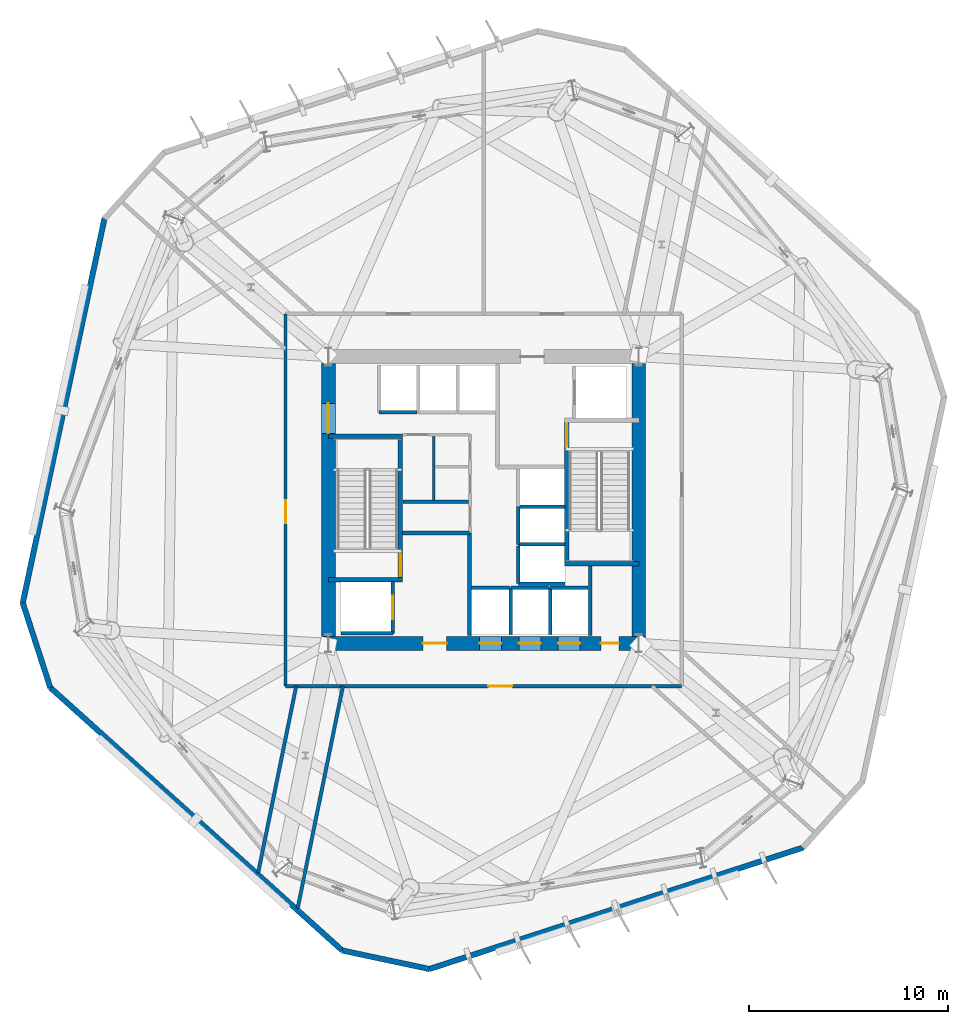
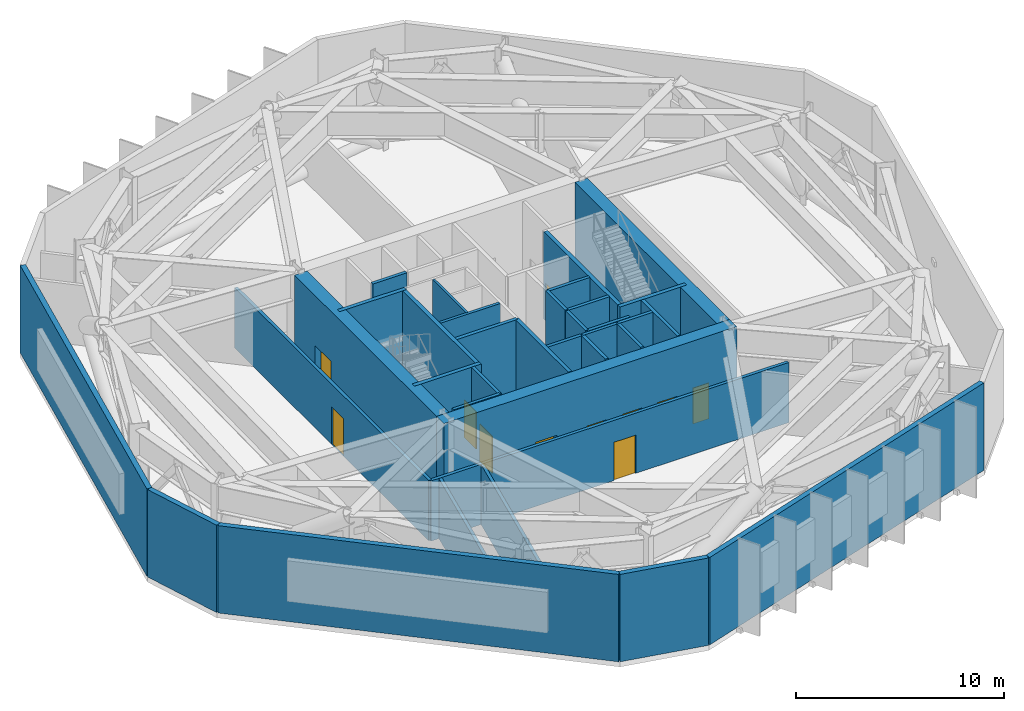
# One storey, part 7 of 12: 35 walls, 11 doors, 11 openings.
"""IFC4 building model written with IfcOpenShell, lengths in metres."""

from ifc_helpers import new_model, si_unit, direction, frame, frame_2d, origin, place, context, subcontext, project, spatial, rectangle, extrude, material, layer, layer_set, type_object, element, fill, save


model = new_model("IFC4")

# Units and contexts
model_context = context("Model", 3, precision=1e-05, world=origin(), true_north=direction((0.0, 1.0)))
body_context = subcontext(model_context, "Body", "Model", "MODEL_VIEW")
ifc_project = project(units=[si_unit("LENGTHUNIT", "METRE"), si_unit("AREAUNIT", "SQUARE_METRE"), si_unit("VOLUMEUNIT", "CUBIC_METRE"), si_unit("PLANEANGLEUNIT", "RADIAN"), si_unit("MASSUNIT", "GRAM", prefix="KILO")], contexts=[model_context])

# Site, building, storey
site_placement = place(None, origin())
site = spatial("IfcSite", under=ifc_project, at=site_placement, CompositionType="ELEMENT")
building_placement = place(site_placement, origin())
building = spatial("IfcBuilding", under=site, at=building_placement, Name="Kranzbogen Civic Tower", CompositionType="ELEMENT")
storey_placement = place(building_placement, frame((0.0, 0.0, 92.0)))
storey = spatial("IfcBuildingStorey", under=building, at=storey_placement, Name="L22", CompositionType="ELEMENT", Elevation=92.0)

# Wall
ifc_material_1 = material(Name="Insulated Metal-Stud Gypsum Partition")
ifc_layer_1 = layer(ifc_material_1, 0.125, Name="Insulated Metal-Stud Gypsum Partition")
ifc_layer_set_1 = layer_set([ifc_layer_1], Name="Insulated Metal-Stud Gypsum Partition")
wall_type_1 = type_object("IfcWallType", Name="Acoustic Inter-Room Partition 125 mm", PredefinedType="PARTITIONING", material=ifc_layer_set_1)
wall_1_placement = place(storey_placement, frame((22.489990234375, 24.969970703125, 0.0), z_axis=(0.0, 0.0, 1.0), x_axis=(0.0, 1.0, 0.0)))
element("IfcWall", 1, at=wall_1_placement, inside=storey, type_object=wall_type_1, Name="L22 core auxiliary partition 2", PredefinedType="PARTITIONING", context=body_context, shape_type="SweptSolid", body=[
    extrude(rectangle(XDim=3.22998046875, YDim=0.125, at=frame_2d((1.614990234375, 0.0))), origin(), (0.0, 0.0, 1.0), 5.139892578125),
])

# Wall, openings, doors
ifc_material_2 = material(Name="Concrete C55/67", Category="concrete")
ifc_layer_2 = layer(ifc_material_2, 0.699951171875, Name="Concrete C55/67")
ifc_layer_set_2 = layer_set([ifc_layer_2], Name="Concrete C55/67")
wall_type_2 = type_object("IfcWallType", Name="Central Core Shear Wall 700 mm", PredefinedType="SHEAR", material=ifc_layer_set_2)
wall_2_placement = place(storey_placement, frame((16.85009765625, 17.800048828125, 0.0), z_axis=(0.0, 0.0, 1.0), x_axis=(1.0, 0.0, 0.0)))
wall_2 = element("IfcWall", 2, at=wall_2_placement, inside=storey, type_object=wall_type_2, Name="L22 central core South shear wall", PredefinedType="SHEAR", context=body_context, shape_type="SweptSolid", body=[
    extrude(rectangle(XDim=16.2998046875, YDim=0.699951171875, at=frame_2d((8.14990234375, 0.0))), origin(), (0.0, 0.0, 1.0), 5.139892578125),
])
opening_1_placement = place(wall_2_placement, frame((5.10009765625, 0.0, 0.0)))
opening_1 = element("IfcOpeningElement", 3, at=opening_1_placement, cuts=wall_2, Name="Opening D-EX120", PredefinedType="OPENING", context=body_context, shape_type="SweptSolid", body=[
    extrude(rectangle(XDim=1.199951171875, YDim=2.25, at=frame_2d((0.60009765625, 1.125))), frame((0.0, 0.35986328125, 0.0), z_axis=(0.0, -1.0, 0.0), x_axis=(1.0, 0.0, 0.0)), (0.0, 0.0, 1.0), 0.719970703125),
])
opening_2_placement = place(wall_2_placement, frame((14.050048828125, 0.0, 0.0)))
opening_2 = element("IfcOpeningElement", 4, at=opening_2_placement, cuts=wall_2, Name="Opening D-WC90", PredefinedType="OPENING", context=body_context, shape_type="SweptSolid", body=[
    extrude(rectangle(XDim=0.89990234375, YDim=2.10009765625, at=frame_2d((0.449951171875, 1.050048828125))), frame((0.0, 0.35986328125, 0.0), z_axis=(0.0, -1.0, 0.0), x_axis=(1.0, 0.0, 0.0)), (0.0, 0.0, 1.0), 0.719970703125),
])
opening_3_placement = place(wall_2_placement, frame((7.949951171875, 0.0, 0.0)))
opening_3 = element("IfcOpeningElement", 5, at=opening_3_placement, cuts=wall_2, Name="Opening LD-LP-01", PredefinedType="OPENING", context=body_context, shape_type="SweptSolid", body=[
    extrude(rectangle(XDim=1.10009765625, YDim=2.199951171875, at=frame_2d((0.550048828125, 1.10009765625))), frame((0.0, 0.35986328125, 0.0), z_axis=(0.0, -1.0, 0.0), x_axis=(1.0, 0.0, 0.0)), (0.0, 0.0, 1.0), 0.719970703125),
])
opening_4_placement = place(wall_2_placement, frame((9.925048828125, 0.0, 0.0)))
opening_4 = element("IfcOpeningElement", 6, at=opening_4_placement, cuts=wall_2, Name="Opening LD-LP-02", PredefinedType="OPENING", context=body_context, shape_type="SweptSolid", body=[
    extrude(rectangle(XDim=1.10009765625, YDim=2.199951171875, at=frame_2d((0.550048828125, 1.10009765625))), frame((0.0, 0.35986328125, 0.0), z_axis=(0.0, -1.0, 0.0), x_axis=(1.0, 0.0, 0.0)), (0.0, 0.0, 1.0), 0.719970703125),
])
opening_5_placement = place(wall_2_placement, frame((11.89990234375, 0.0, 0.0)))
opening_5 = element("IfcOpeningElement", 7, at=opening_5_placement, cuts=wall_2, Name="Opening LD-LP-03", PredefinedType="OPENING", context=body_context, shape_type="SweptSolid", body=[
    extrude(rectangle(XDim=1.10009765625, YDim=2.199951171875, at=frame_2d((0.550048828125, 1.10009765625))), frame((0.0, 0.35986328125, 0.0), z_axis=(0.0, -1.0, 0.0), x_axis=(1.0, 0.0, 0.0)), (0.0, 0.0, 1.0), 0.719970703125),
])
ifc_material_3 = material(Name="Steel S355", Category="steel")
door_type_1 = type_object("IfcDoorType", Name="Exit Passageway Fire Door 1200x2250", OperationType="NOTDEFINED", PredefinedType="DOOR", material=ifc_material_3)
door_1_placement = place(opening_1_placement, origin())
door_1 = element("IfcDoor", 8, at=door_1_placement, inside=storey, type_object=door_type_1, Name="L22 West firefighting lobby corridor door", OperationType="SINGLE_SWING_RIGHT", OverallHeight=2.25, OverallWidth=1.199951171875, PredefinedType="DOOR", context=body_context, shape_type="SweptSolid", body=[
    extrude(rectangle(XDim=1.199951171875, YDim=2.25, at=frame_2d((0.60009765625, 1.125))), frame((0.0, 0.02490234375, 0.0), z_axis=(0.0, -1.0, 0.0), x_axis=(1.0, 0.0, 0.0)), (0.0, 0.0, 1.0), 0.050048828125),
])
fill(opening_1, door_1)
ifc_material_4 = material(Name="Pale Anodised Aluminium", Category="aluminium")
door_type_2 = type_object("IfcDoorType", Name="Passenger Lift Sliding Landing Door 1100x2200", OperationType="DOUBLE_DOOR_SLIDING", PredefinedType="DOOR", material=ifc_material_4)
door_2_placement = place(opening_3_placement, origin())
door_2 = element("IfcDoor", 9, at=door_2_placement, inside=storey, type_object=door_type_2, Name="L22 lift LP-01 sliding landing door", OperationType="DOUBLE_DOOR_SLIDING", OverallHeight=2.199951171875, OverallWidth=1.10009765625, PredefinedType="DOOR", context=body_context, shape_type="SweptSolid", body=[
    extrude(rectangle(XDim=1.10009765625, YDim=2.199951171875, at=frame_2d((0.550048828125, 1.10009765625))), frame((0.0, 0.02490234375, 0.0), z_axis=(0.0, -1.0, 0.0), x_axis=(1.0, 0.0, 0.0)), (0.0, 0.0, 1.0), 0.050048828125),
])
fill(opening_3, door_2)
door_3_placement = place(opening_4_placement, origin())
door_3 = element("IfcDoor", 10, at=door_3_placement, inside=storey, type_object=door_type_2, Name="L22 lift LP-02 sliding landing door", OperationType="DOUBLE_DOOR_SLIDING", OverallHeight=2.199951171875, OverallWidth=1.10009765625, PredefinedType="DOOR", context=body_context, shape_type="SweptSolid", body=[
    extrude(rectangle(XDim=1.10009765625, YDim=2.199951171875, at=frame_2d((0.550048828125, 1.10009765625))), frame((0.0, 0.02490234375, 0.0), z_axis=(0.0, -1.0, 0.0), x_axis=(1.0, 0.0, 0.0)), (0.0, 0.0, 1.0), 0.050048828125),
])
fill(opening_4, door_3)
door_4_placement = place(opening_5_placement, origin())
door_4 = element("IfcDoor", 11, at=door_4_placement, inside=storey, type_object=door_type_2, Name="L22 lift LP-03 sliding landing door", OperationType="DOUBLE_DOOR_SLIDING", OverallHeight=2.199951171875, OverallWidth=1.10009765625, PredefinedType="DOOR", context=body_context, shape_type="SweptSolid", body=[
    extrude(rectangle(XDim=1.10009765625, YDim=2.199951171875, at=frame_2d((0.550048828125, 1.10009765625))), frame((0.0, 0.02490234375, 0.0), z_axis=(0.0, -1.0, 0.0), x_axis=(1.0, 0.0, 0.0)), (0.0, 0.0, 1.0), 0.050048828125),
])
fill(opening_5, door_4)
ifc_material_5 = material(Name="Moisture-Resistant Laminate")
door_type_3 = type_object("IfcDoorType", Name="Standard Restroom and Store Door 900x2100", OperationType="NOTDEFINED", PredefinedType="DOOR", material=ifc_material_5)
door_5_placement = place(opening_2_placement, origin())
door_5 = element("IfcDoor", 12, at=door_5_placement, inside=storey, type_object=door_type_3, Name="L22 East electrical riser access door", OperationType="SINGLE_SWING_RIGHT", OverallHeight=2.10009765625, OverallWidth=0.89990234375, PredefinedType="DOOR", context=body_context, shape_type="SweptSolid", body=[
    extrude(rectangle(XDim=0.89990234375, YDim=2.10009765625, at=frame_2d((0.449951171875, 1.050048828125))), frame((0.0, 0.02490234375, 0.0), z_axis=(0.0, -1.0, 0.0), x_axis=(1.0, 0.0, 0.0)), (0.0, 0.0, 1.0), 0.050048828125),
])
fill(opening_2, door_5)

# Wall, opening, door
wall_3_placement = place(storey_placement, frame((17.199951171875, 31.85009765625, 0.0), z_axis=(0.0, 0.0, 1.0), x_axis=(0.0, -1.0, 0.0)))
wall_3 = element("IfcWall", 13, at=wall_3_placement, inside=storey, type_object=wall_type_2, Name="L22 central core West shear wall", PredefinedType="SHEAR", context=body_context, shape_type="SweptSolid", body=[
    extrude(rectangle(XDim=13.7001953125, YDim=0.699951171875, at=frame_2d((6.85009765625, 0.0))), origin(), (0.0, 0.0, 1.0), 5.139892578125),
])
opening_6_placement = place(wall_3_placement, frame((2.0, 0.0, 0.0)))
opening_6 = element("IfcOpeningElement", 14, at=opening_6_placement, cuts=wall_3, Name="Opening D-DBL15", PredefinedType="OPENING", context=body_context, shape_type="SweptSolid", body=[
    extrude(rectangle(XDim=1.5, YDim=2.199951171875, at=frame_2d((0.75, 1.10009765625))), frame((0.0, 0.35986328125, 0.0), z_axis=(0.0, -1.0, 0.0), x_axis=(1.0, 0.0, 0.0)), (0.0, 0.0, 1.0), 0.719970703125),
])
ifc_material_6 = material(Name="Anodised Bronze and Glass", Category="glass")
door_type_4 = type_object("IfcDoorType", Name="Civic Lobby Double Door 1500x2200", OperationType="DOUBLE_DOOR_SINGLE_SWING", PredefinedType="DOOR", material=ifc_material_6)
door_6_placement = place(opening_6_placement, origin())
door_6 = element("IfcDoor", 15, at=door_6_placement, inside=storey, type_object=door_type_4, Name="L22 Central Lift Lobby West concourse door", OperationType="DOUBLE_DOOR_SINGLE_SWING", OverallHeight=2.199951171875, OverallWidth=1.5, PredefinedType="DOOR", context=body_context, shape_type="SweptSolid", body=[
    extrude(rectangle(XDim=1.5, YDim=2.199951171875, at=frame_2d((0.75, 1.10009765625))), frame((0.0, 0.02490234375, 0.0), z_axis=(0.0, -1.0, 0.0), x_axis=(1.0, 0.0, 0.0)), (0.0, 0.0, 1.0), 0.050048828125),
])
fill(opening_6, door_6)

# Wall
wall_4_placement = place(storey_placement, frame((32.800048828125, 18.14990234375, 0.0), z_axis=(0.0, 0.0, 1.0), x_axis=(0.0, 1.0, 0.0)))
element("IfcWall", 16, at=wall_4_placement, inside=storey, type_object=wall_type_2, Name="L22 central core East shear wall", PredefinedType="SHEAR", context=body_context, shape_type="SweptSolid", body=[
    extrude(rectangle(XDim=13.7001953125, YDim=0.699951171875, at=frame_2d((6.85009765625, 0.0))), origin(), (0.0, 0.0, 1.0), 5.139892578125),
])

# Wall, opening, door
ifc_material_7 = material(Name="Concrete C45/55", Category="concrete")
ifc_layer_3 = layer(ifc_material_7, 0.219970703125, Name="Concrete C45/55")
ifc_layer_set_3 = layer_set([ifc_layer_3], Name="Concrete C45/55")
wall_type_3 = type_object("IfcWallType", Name="Core Internal Stair Structural Wall 220 mm", PredefinedType="SOLIDWALL", material=ifc_layer_set_3)
wall_5_placement = place(storey_placement, frame((20.81005859375, 20.989990234375, 0.0), z_axis=(0.0, 0.0, 1.0), x_axis=(0.0, 1.0, 0.0)))
wall_5 = element("IfcWall", 17, at=wall_5_placement, inside=storey, type_object=wall_type_3, Name="L22 ST-T1 East structural stair wall", PredefinedType="SOLIDWALL", context=body_context, shape_type="SweptSolid", body=[
    extrude(rectangle(XDim=7.219970703125, YDim=0.219970703125, at=frame_2d((3.60986328125, 0.0))), origin(), (0.0, 0.0, 1.0), 5.139892578125),
])
opening_7_placement = place(wall_5_placement, frame((0.179931640625, 0.0, 0.0)))
opening_7 = element("IfcOpeningElement", 18, at=opening_7_placement, cuts=wall_5, Name="Opening D-ST90", PredefinedType="OPENING", context=body_context, shape_type="SweptSolid", body=[
    extrude(rectangle(XDim=1.14990234375, YDim=2.199951171875, at=frame_2d((0.574951171875, 1.10009765625))), frame((0.0, 0.1201171875, 0.0), z_axis=(0.0, -1.0, 0.0), x_axis=(1.0, 0.0, 0.0)), (0.0, 0.0, 1.0), 0.239990234375),
])
door_type_5 = type_object("IfcDoorType", Name="Pressurized Stair and Lobby Fire Door 1150x2200", OperationType="NOTDEFINED", PredefinedType="DOOR", material=ifc_material_3)
door_7_placement = place(opening_7_placement, origin())
door_7 = element("IfcDoor", 19, at=door_7_placement, inside=storey, type_object=door_type_5, Name="L22 Stair ST-T1 fire door", OperationType="SINGLE_SWING_RIGHT", OverallHeight=2.199951171875, OverallWidth=1.14990234375, PredefinedType="DOOR", context=body_context, shape_type="SweptSolid", body=[
    extrude(rectangle(XDim=1.14990234375, YDim=2.199951171875, at=frame_2d((0.574951171875, 1.10009765625))), frame((0.0, 0.02490234375, 0.0), z_axis=(0.0, -1.0, 0.0), x_axis=(1.0, 0.0, 0.0)), (0.0, 0.0, 1.0), 0.050048828125),
])
fill(opening_7, door_7)

# Walls
for number, where, z_axis, x_axis, name in (
    (20, (17.199951171875, 20.989990234375, 0.0), (0.0, 0.0, 1.0), (1.0, 0.0, 0.0), "L22 ST-T1 South structural stair wall"),
    (21, (17.199951171875, 28.2099609375, 0.0), (0.0, 0.0, 1.0), (1.0, 0.0, 0.0), "L22 ST-T1 North structural stair wall"),
):
    element("IfcWall", number, at=place(storey_placement, frame(where, z_axis=z_axis, x_axis=x_axis)), inside=storey, type_object=wall_type_3, Name=name, PredefinedType="SOLIDWALL", context=body_context, shape_type="SweptSolid", body=[
        extrude(rectangle(XDim=3.719970703125, YDim=0.219970703125, at=frame_2d((1.85986328125, 0.0))), origin(), (0.0, 0.0, 1.0), 5.139892578125),
    ])

# Wall, opening, door
wall_6_placement = place(storey_placement, frame((29.18994140625, 21.7900390625, 0.0), z_axis=(0.0, 0.0, 1.0), x_axis=(0.0, 1.0, 0.0)))
wall_6 = element("IfcWall", 22, at=wall_6_placement, inside=storey, type_object=wall_type_3, Name="L22 ST-T2 West structural stair wall", PredefinedType="SOLIDWALL", context=body_context, shape_type="SweptSolid", body=[
    extrude(rectangle(XDim=7.219970703125, YDim=0.219970703125, at=frame_2d((3.60986328125, 0.0))), origin(), (0.0, 0.0, 1.0), 5.139892578125),
])
opening_8_placement = place(wall_6_placement, frame((5.8798828125, 0.0, 0.0)))
opening_8 = element("IfcOpeningElement", 23, at=opening_8_placement, cuts=wall_6, Name="Opening D-ST90", PredefinedType="OPENING", context=body_context, shape_type="SweptSolid", body=[
    extrude(rectangle(XDim=1.14990234375, YDim=2.199951171875, at=frame_2d((0.574951171875, 1.10009765625))), frame((0.0, 0.1201171875, 0.0), z_axis=(0.0, -1.0, 0.0), x_axis=(1.0, 0.0, 0.0)), (0.0, 0.0, 1.0), 0.239990234375),
])
door_8_placement = place(opening_8_placement, origin())
door_8 = element("IfcDoor", 24, at=door_8_placement, inside=storey, type_object=door_type_5, Name="L22 Stair ST-T2 fire door", OperationType="SINGLE_SWING_LEFT", OverallHeight=2.199951171875, OverallWidth=1.14990234375, PredefinedType="DOOR", context=body_context, shape_type="SweptSolid", body=[
    extrude(rectangle(XDim=1.14990234375, YDim=2.199951171875, at=frame_2d((0.574951171875, 1.10009765625))), frame((0.0, 0.02490234375, 0.0), z_axis=(0.0, -1.0, 0.0), x_axis=(1.0, 0.0, 0.0)), (0.0, 0.0, 1.0), 0.050048828125),
])
fill(opening_8, door_8)

# Walls
wall_7_placement = place(storey_placement, frame((29.080078125, 21.7900390625, 0.0), z_axis=(0.0, 0.0, 1.0), x_axis=(1.0, 0.0, 0.0)))
element("IfcWall", 25, at=wall_7_placement, inside=storey, type_object=wall_type_3, Name="L22 ST-T2 South structural stair wall", PredefinedType="SOLIDWALL", context=body_context, shape_type="SweptSolid", body=[
    extrude(rectangle(XDim=3.719970703125, YDim=0.219970703125, at=frame_2d((1.85986328125, 0.0))), origin(), (0.0, 0.0, 1.0), 5.139892578125),
])
ifc_material_8 = material(Name="Gypsum Fireboard and Concrete Block", Category="concrete")
ifc_layer_4 = layer(ifc_material_8, 0.199951171875, Name="Gypsum Fireboard and Concrete Block")
ifc_layer_set_4 = layer_set([ifc_layer_4], Name="Gypsum Fireboard and Concrete Block")
wall_type_4 = type_object("IfcWallType", Name="Fire-Rated Exit Passageway and Stair Wall 200 mm", PredefinedType="PARTITIONING", material=ifc_layer_set_4)
wall_8_placement = place(storey_placement, frame((24.300048828125, 18.199951171875, 0.0), z_axis=(0.0, 0.0, 1.0), x_axis=(0.0, 1.0, 0.0)))
element("IfcWall", 26, at=wall_8_placement, inside=storey, type_object=wall_type_4, Name="L22 West firefighting lobby East wall", PredefinedType="PARTITIONING", context=body_context, shape_type="SweptSolid", body=[
    extrude(rectangle(XDim=5.150146484375, YDim=0.199951171875, at=frame_2d((2.5751953125, 0.0))), origin(), (0.0, 0.0, 1.0), 5.139892578125),
])
wall_9_placement = place(storey_placement, frame((20.919921875, 23.35009765625, 0.0), z_axis=(0.0, 0.0, 1.0), x_axis=(1.0, 0.0, 0.0)))
element("IfcWall", 27, at=wall_9_placement, inside=storey, type_object=wall_type_4, Name="L22 West firefighting lobby North wall", PredefinedType="PARTITIONING", context=body_context, shape_type="SweptSolid", body=[
    extrude(rectangle(XDim=3.380126953125, YDim=0.199951171875, at=frame_2d((1.68994140625, 0.0))), origin(), (0.0, 0.0, 1.0), 5.139892578125),
])
ifc_material_9 = material(Name="Gypsum Fireboard Shaftliner")
ifc_layer_5 = layer(ifc_material_9, 0.175048828125, Name="Gypsum Fireboard Shaftliner")
ifc_layer_set_5 = layer_set([ifc_layer_5], Name="Gypsum Fireboard Shaftliner")
wall_type_5 = type_object("IfcWallType", Name="Fire-Rated Lift and Service Shaft Wall 175 mm", PredefinedType="PARTITIONING", material=ifc_layer_set_5)
wall_10_placement = place(storey_placement, frame((30.35009765625, 18.199951171875, 0.0), z_axis=(0.0, 0.0, 1.0), x_axis=(0.0, 1.0, 0.0)))
element("IfcWall", 28, at=wall_10_placement, inside=storey, type_object=wall_type_5, Name="L22 East core riser West wall", PredefinedType="PARTITIONING", context=body_context, shape_type="SweptSolid", body=[
    extrude(rectangle(XDim=3.47998046875, YDim=0.175048828125, at=frame_2d((1.739990234375, 0.0))), origin(), (0.0, 0.0, 1.0), 5.139892578125),
])
wall_11_placement = place(storey_placement, frame((24.39990234375, 20.60009765625, 0.0), z_axis=(0.0, 0.0, 1.0), x_axis=(1.0, 0.0, 0.0)))
element("IfcWall", 29, at=wall_11_placement, inside=storey, type_object=wall_type_5, Name="L22 lift LP-01 rear wall", PredefinedType="PARTITIONING", context=body_context, shape_type="SweptSolid", body=[
    extrude(rectangle(XDim=1.900146484375, YDim=0.175048828125, at=frame_2d((0.9501953125, 0.0))), origin(), (0.0, 0.0, 1.0), 5.139892578125),
])
wall_12_placement = place(storey_placement, frame((26.375, 20.60009765625, 0.0), z_axis=(0.0, 0.0, 1.0), x_axis=(1.0, 0.0, 0.0)))
element("IfcWall", 30, at=wall_12_placement, inside=storey, type_object=wall_type_5, Name="L22 lift LP-02 rear wall", PredefinedType="PARTITIONING", context=body_context, shape_type="SweptSolid", body=[
    extrude(rectangle(XDim=1.89990234375, YDim=0.175048828125, at=frame_2d((0.949951171875, 0.0))), origin(), (0.0, 0.0, 1.0), 5.139892578125),
])
wall_13_placement = place(storey_placement, frame((26.375, 18.25, 0.0), z_axis=(0.0, 0.0, 1.0), x_axis=(0.0, 1.0, 0.0)))
element("IfcWall", 31, at=wall_13_placement, inside=storey, type_object=wall_type_5, Name="L22 lift LP-02 side wall", PredefinedType="PARTITIONING", context=body_context, shape_type="SweptSolid", body=[
    extrude(rectangle(XDim=2.35009765625, YDim=0.175048828125, at=frame_2d((1.175048828125, 0.0))), origin(), (0.0, 0.0, 1.0), 5.139892578125),
])
wall_14_placement = place(storey_placement, frame((28.35009765625, 20.60009765625, 0.0), z_axis=(0.0, 0.0, 1.0), x_axis=(1.0, 0.0, 0.0)))
element("IfcWall", 32, at=wall_14_placement, inside=storey, type_object=wall_type_5, Name="L22 lift LP-03 rear wall", PredefinedType="PARTITIONING", context=body_context, shape_type="SweptSolid", body=[
    extrude(rectangle(XDim=1.89990234375, YDim=0.175048828125, at=frame_2d((0.949951171875, 0.0))), origin(), (0.0, 0.0, 1.0), 5.139892578125),
])
wall_15_placement = place(storey_placement, frame((28.35009765625, 18.25, 0.0), z_axis=(0.0, 0.0, 1.0), x_axis=(0.0, 1.0, 0.0)))
element("IfcWall", 33, at=wall_15_placement, inside=storey, type_object=wall_type_5, Name="L22 lift LP-03 side wall", PredefinedType="PARTITIONING", context=body_context, shape_type="SweptSolid", body=[
    extrude(rectangle(XDim=2.35009765625, YDim=0.175048828125, at=frame_2d((1.175048828125, 0.0))), origin(), (0.0, 0.0, 1.0), 5.139892578125),
])
for number, where, z_axis, x_axis, name in (
    (34, (19.75, 29.39990234375, 0.0), (0.0, 0.0, 1.0), (1.0, 0.0, 0.0), "L22 lift MP-01 rear wall"),
    (35, (26.75, 20.800048828125, 0.0), (0.0, 0.0, 1.0), (0.0, 1.0, 0.0), "L22 lift HP-01 landing wall"),
):
    element("IfcWall", number, at=place(storey_placement, frame(where, z_axis=z_axis, x_axis=x_axis)), inside=storey, type_object=wall_type_5, Name=name, PredefinedType="PARTITIONING", context=body_context, shape_type="SweptSolid", body=[
        extrude(rectangle(XDim=1.89990234375, YDim=0.175048828125, at=frame_2d((0.949951171875, 0.0))), origin(), (0.0, 0.0, 1.0), 5.139892578125),
    ])
wall_16_placement = place(storey_placement, frame((26.75, 20.800048828125, 0.0), z_axis=(0.0, 0.0, 1.0), x_axis=(1.0, 0.0, 0.0)))
element("IfcWall", 36, at=wall_16_placement, inside=storey, type_object=wall_type_5, Name="L22 lift HP-01 side wall", PredefinedType="PARTITIONING", context=body_context, shape_type="SweptSolid", body=[
    extrude(rectangle(XDim=2.35009765625, YDim=0.175048828125, at=frame_2d((1.175048828125, 0.0))), origin(), (0.0, 0.0, 1.0), 5.139892578125),
])
wall_17_placement = place(storey_placement, frame((26.75, 22.77490234375, 0.0), z_axis=(0.0, 0.0, 1.0), x_axis=(0.0, 1.0, 0.0)))
element("IfcWall", 37, at=wall_17_placement, inside=storey, type_object=wall_type_5, Name="L22 lift HP-02 landing wall", PredefinedType="PARTITIONING", context=body_context, shape_type="SweptSolid", body=[
    extrude(rectangle(XDim=1.900146484375, YDim=0.175048828125, at=frame_2d((0.9501953125, 0.0))), origin(), (0.0, 0.0, 1.0), 5.139892578125),
])
for number, where, z_axis, x_axis, name in (
    (38, (26.75, 22.77490234375, 0.0), (0.0, 0.0, 1.0), (1.0, 0.0, 0.0), "L22 lift HP-02 side wall"),
    (39, (26.75, 24.64990234375, 0.0), (0.0, 0.0, 1.0), (1.0, 0.0, 0.0), "L22 lift HP-03 side wall"),
):
    element("IfcWall", number, at=place(storey_placement, frame(where, z_axis=z_axis, x_axis=x_axis)), inside=storey, type_object=wall_type_5, Name=name, PredefinedType="PARTITIONING", context=body_context, shape_type="SweptSolid", body=[
        extrude(rectangle(XDim=2.35009765625, YDim=0.175048828125, at=frame_2d((1.175048828125, 0.0))), origin(), (0.0, 0.0, 1.0), 5.139892578125),
    ])

# Wall, opening, door
wall_18_placement = place(storey_placement, frame((20.449951171875, 18.300048828125, 0.0), z_axis=(0.0, 0.0, 1.0), x_axis=(0.0, 1.0, 0.0)))
wall_18 = element("IfcWall", 40, at=wall_18_placement, inside=storey, type_object=wall_type_5, Name="L22 lift FF-01 landing wall", PredefinedType="PARTITIONING", context=body_context, shape_type="SweptSolid", body=[
    extrude(rectangle(XDim=2.599853515625, YDim=0.175048828125, at=frame_2d((1.2998046875, 0.0))), origin(), (0.0, 0.0, 1.0), 5.139892578125),
])
opening_9_placement = place(wall_18_placement, frame((0.699951171875, 0.0, 0.0)))
opening_9 = element("IfcOpeningElement", 41, at=opening_9_placement, cuts=wall_18, Name="Opening LD-FF-01", PredefinedType="OPENING", context=body_context, shape_type="SweptSolid", body=[
    extrude(rectangle(XDim=1.199951171875, YDim=2.199951171875, at=frame_2d((0.60009765625, 1.10009765625))), frame((0.0, 0.09765625, 0.0), z_axis=(0.0, -1.0, 0.0), x_axis=(1.0, 0.0, 0.0)), (0.0, 0.0, 1.0), 0.195068359375),
])
door_type_6 = type_object("IfcDoorType", Name="Firefighting and Stretcher Lift Sliding Landing Door 1200x2200", OperationType="DOUBLE_DOOR_SLIDING", PredefinedType="DOOR", material=ifc_material_4)
door_9_placement = place(opening_9_placement, origin())
door_9 = element("IfcDoor", 42, at=door_9_placement, inside=storey, type_object=door_type_6, Name="L22 lift FF-01 sliding landing door", OperationType="DOUBLE_DOOR_SLIDING", OverallHeight=2.199951171875, OverallWidth=1.199951171875, PredefinedType="DOOR", context=body_context, shape_type="SweptSolid", body=[
    extrude(rectangle(XDim=1.199951171875, YDim=2.199951171875, at=frame_2d((0.60009765625, 1.10009765625))), frame((0.0, 0.02490234375, 0.0), z_axis=(0.0, -1.0, 0.0), x_axis=(1.0, 0.0, 0.0)), (0.0, 0.0, 1.0), 0.050048828125),
])
fill(opening_9, door_9)

# Wall
wall_19_placement = place(storey_placement, frame((17.85009765625, 18.300048828125, 0.0), z_axis=(0.0, 0.0, 1.0), x_axis=(1.0, 0.0, 0.0)))
element("IfcWall", 43, at=wall_19_placement, inside=storey, type_object=wall_type_5, Name="L22 lift FF-01 side wall", PredefinedType="PARTITIONING", context=body_context, shape_type="SweptSolid", body=[
    extrude(rectangle(XDim=2.599853515625, YDim=0.175048828125, at=frame_2d((1.2998046875, 0.0))), origin(), (0.0, 0.0, 1.0), 5.139892578125),
])

# Wall, opening, door
wall_20_placement = place(storey_placement, frame((34.949951171875, 15.64990234375, 0.0), z_axis=(0.0, 0.0, 1.0), x_axis=(-1.0, 0.0, 0.0)))
wall_20 = element("IfcWall", 44, at=wall_20_placement, inside=storey, type_object=wall_type_5, Name="L22 corridor partition 03", PredefinedType="PARTITIONING", context=body_context, shape_type="SweptSolid", body=[
    extrude(rectangle(XDim=19.89990234375, YDim=0.175048828125, at=frame_2d((9.949951171875, 0.0))), origin(), (0.0, 0.0, 1.0), 3.5400390625),
])
opening_10_placement = place(wall_20_placement, frame((8.510986328125, 0.0, 0.0)))
opening_10 = element("IfcOpeningElement", 45, at=opening_10_placement, cuts=wall_20, Name="Opening D-EX120", PredefinedType="OPENING", context=body_context, shape_type="SweptSolid", body=[
    extrude(rectangle(XDim=1.199951171875, YDim=2.25, at=frame_2d((0.60009765625, 1.125))), frame((0.0, 0.09765625, 0.0), z_axis=(0.0, -1.0, 0.0), x_axis=(1.0, 0.0, 0.0)), (0.0, 0.0, 1.0), 0.195068359375),
])
door_10_placement = place(opening_10_placement, origin())
door_10 = element("IfcDoor", 46, at=door_10_placement, inside=storey, type_object=door_type_1, Name="L22 Designated Fire Refuge Area door", OperationType="SINGLE_SWING_LEFT", OverallHeight=2.25, OverallWidth=1.199951171875, PredefinedType="DOOR", context=body_context, shape_type="SweptSolid", body=[
    extrude(rectangle(XDim=1.199951171875, YDim=2.25, at=frame_2d((0.60009765625, 1.125))), frame((0.0, 0.02490234375, 0.0), z_axis=(0.0, -1.0, 0.0), x_axis=(1.0, 0.0, 0.0)), (0.0, 0.0, 1.0), 0.050048828125),
])
fill(opening_10, door_10)

wall_21_placement = place(storey_placement, frame((15.050048828125, 15.64990234375, 0.0), z_axis=(0.0, 0.0, 1.0), x_axis=(0.0, 1.0, 0.0)))
wall_21 = element("IfcWall", 47, at=wall_21_placement, inside=storey, type_object=wall_type_5, Name="L22 corridor partition 04", PredefinedType="PARTITIONING", context=body_context, shape_type="SweptSolid", body=[
    extrude(rectangle(XDim=18.7001953125, YDim=0.175048828125, at=frame_2d((9.35009765625, 0.0))), origin(), (0.0, 0.0, 1.0), 3.5400390625),
])
opening_11_placement = place(wall_21_placement, frame((8.19091796875, 0.0, 0.0)))
opening_11 = element("IfcOpeningElement", 48, at=opening_11_placement, cuts=wall_21, Name="Opening D-ST90", PredefinedType="OPENING", context=body_context, shape_type="SweptSolid", body=[
    extrude(rectangle(XDim=1.14990234375, YDim=2.199951171875, at=frame_2d((0.574951171875, 1.10009765625))), frame((0.0, 0.09765625, 0.0), z_axis=(0.0, -1.0, 0.0), x_axis=(1.0, 0.0, 0.0)), (0.0, 0.0, 1.0), 0.195068359375),
])
door_11_placement = place(opening_11_placement, origin())
door_11 = element("IfcDoor", 49, at=door_11_placement, inside=storey, type_object=door_type_5, Name="L22 Smoke Extract Pressurization Plant door", OperationType="SINGLE_SWING_LEFT", OverallHeight=2.199951171875, OverallWidth=1.14990234375, PredefinedType="DOOR", context=body_context, shape_type="SweptSolid", body=[
    extrude(rectangle(XDim=1.14990234375, YDim=2.199951171875, at=frame_2d((0.574951171875, 1.10009765625))), frame((0.0, 0.02490234375, 0.0), z_axis=(0.0, -1.0, 0.0), x_axis=(1.0, 0.0, 0.0)), (0.0, 0.0, 1.0), 0.050048828125),
])
fill(opening_11, door_11)

# Walls
wall_22_placement = place(storey_placement, frame((15.587890625, 15.64990234375, 0.0), z_axis=(0.0, 0.0, 1.0), x_axis=(-0.199614906569, -0.979874425156, 0.0)))
element("IfcWall", 50, at=wall_22_placement, inside=storey, type_object=wall_type_5, Name="L22 radial room partition 01", PredefinedType="PARTITIONING", context=body_context, shape_type="SweptSolid", body=[
    extrude(rectangle(XDim=9.577880859375, YDim=0.175048828125, at=frame_2d((4.7890625, 0.0))), origin(), (0.0, 0.0, 1.0), 3.530029296875),
])
wall_23_placement = place(storey_placement, frame((17.93603515625, 15.64990234375, 0.0), z_axis=(0.0, 0.0, 1.0), x_axis=(-0.199652459502, -0.979866774319, 0.0)))
element("IfcWall", 51, at=wall_23_placement, inside=storey, type_object=wall_type_5, Name="L22 radial room partition 02", PredefinedType="PARTITIONING", context=body_context, shape_type="SweptSolid", body=[
    extrude(rectangle(XDim=11.400390625, YDim=0.175048828125, at=frame_2d((5.7001953125, 0.0))), origin(), (0.0, 0.0, 1.0), 3.530029296875),
])
ifc_layer_6 = layer(ifc_material_4, 0.280029296875, Name="Pale Anodised Aluminium")
ifc_layer_set_6 = layer_set([ifc_layer_6], Name="Pale Anodised Aluminium")
wall_type_6 = type_object("IfcWallType", Name="Plant Acoustic Insulated Spandrel Wall 280 mm", PredefinedType="STANDARD", material=ifc_layer_set_6)
wall_24_placement = place(storey_placement, frame((5.950927734375, 39.14208984375, 0.0), z_axis=(0.0, 0.0, 1.0), x_axis=(-0.207858460047, -0.97815891377, 0.0)))
element("IfcWall", 52, at=wall_24_placement, inside=storey, type_object=wall_type_6, Name="L22 mechanical plant spandrel wall M3", PredefinedType="STANDARD", context=body_context, shape_type="SweptSolid", body=[
    extrude(rectangle(XDim=19.744140625, YDim=0.280029296875, at=frame_2d((9.8720703125, 0.0))), origin(), (0.0, 0.0, 1.0), 5.139892578125),
])
wall_25_placement = place(storey_placement, frame((1.846923828125, 19.8291015625, 0.0), z_axis=(0.0, 0.0, 1.0), x_axis=(0.308783667438, -0.951132297172, 0.0)))
element("IfcWall", 53, at=wall_25_placement, inside=storey, type_object=wall_type_6, Name="L22 mechanical plant spandrel wall C3", PredefinedType="STANDARD", context=body_context, shape_type="SweptSolid", body=[
    extrude(rectangle(XDim=4.47265625, YDim=0.280029296875, at=frame_2d((2.236328125, 0.0))), origin(), (0.0, 0.0, 1.0), 5.139892578125),
])
wall_26_placement = place(storey_placement, frame((3.22802734375, 15.574951171875, 0.0), z_axis=(0.0, 0.0, 1.0), x_axis=(0.743161948842, -0.669111588446, 0.0)))
element("IfcWall", 54, at=wall_26_placement, inside=storey, type_object=wall_type_6, Name="L22 mechanical plant spandrel wall M4", PredefinedType="STANDARD", context=body_context, shape_type="SweptSolid", body=[
    extrude(rectangle(XDim=19.745361328125, YDim=0.280029296875, at=frame_2d((9.87255859375, 0.0))), origin(), (0.0, 0.0, 1.0), 5.139892578125),
])
wall_27_placement = place(storey_placement, frame((17.902099609375, 2.363037109375, 0.0), z_axis=(0.0, 0.0, 1.0), x_axis=(0.978092216597, -0.20817208226, 0.0)))
element("IfcWall", 55, at=wall_27_placement, inside=storey, type_object=wall_type_6, Name="L22 mechanical plant spandrel wall C4", PredefinedType="STANDARD", context=body_context, shape_type="SweptSolid", body=[
    extrude(rectangle(XDim=4.472900390625, YDim=0.280029296875, at=frame_2d((2.236328125, 0.0))), origin(), (0.0, 0.0, 1.0), 5.139892578125),
])
wall_28_placement = place(storey_placement, frame((22.277099609375, 1.431884765625, 0.0), z_axis=(0.0, 0.0, 1.0), x_axis=(0.951045154023, 0.309051961667, 0.0)))
element("IfcWall", 56, at=wall_28_placement, inside=storey, type_object=wall_type_6, Name="L22 mechanical plant spandrel wall M5", PredefinedType="STANDARD", context=body_context, shape_type="SweptSolid", body=[
    extrude(rectangle(XDim=19.744384765625, YDim=0.280029296875, at=frame_2d((9.8720703125, 0.0))), origin(), (0.0, 0.0, 1.0), 5.139892578125),
])
ifc_material_10 = material(Name="Moisture-Resistant Gypsum Assembly")
ifc_layer_7 = layer(ifc_material_10, 0.159912109375, Name="Moisture-Resistant Gypsum Assembly")
ifc_layer_set_7 = layer_set([ifc_layer_7], Name="Moisture-Resistant Gypsum Assembly")
wall_type_7 = type_object("IfcWallType", Name="Sanitary and Plumbing Wet Wall 160 mm", PredefinedType="PLUMBINGWALL", material=ifc_layer_set_7)
wall_29_placement = place(storey_placement, frame((20.949951171875, 24.909912109375, 0.0), z_axis=(0.0, 0.0, 1.0), x_axis=(1.0, 0.0, 0.0)))
element("IfcWall", 57, at=wall_29_placement, inside=storey, type_object=wall_type_7, Name="L22 core auxiliary partition 1", PredefinedType="PLUMBINGWALL", context=body_context, shape_type="SweptSolid", body=[
    extrude(rectangle(XDim=3.300048828125, YDim=0.159912109375, at=frame_2d((1.64990234375, 0.0))), origin(), (0.0, 0.0, 1.0), 5.139892578125),
])

save(model, "model.ifc")
